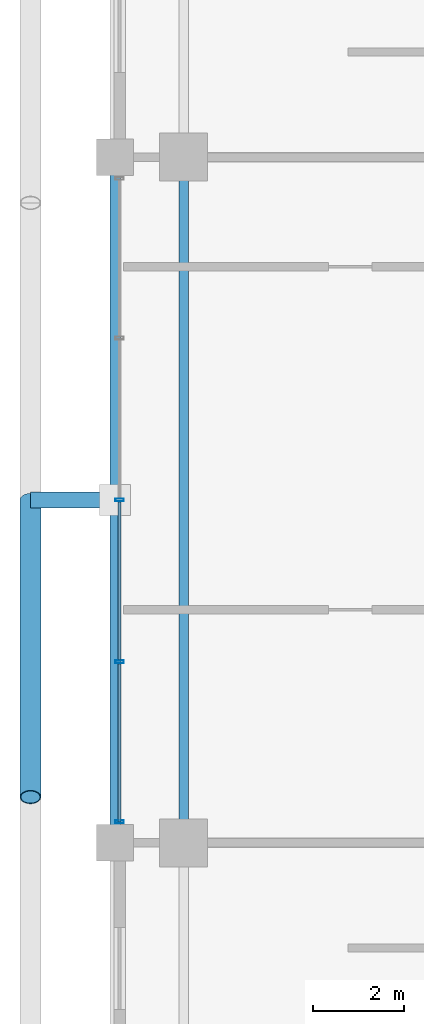
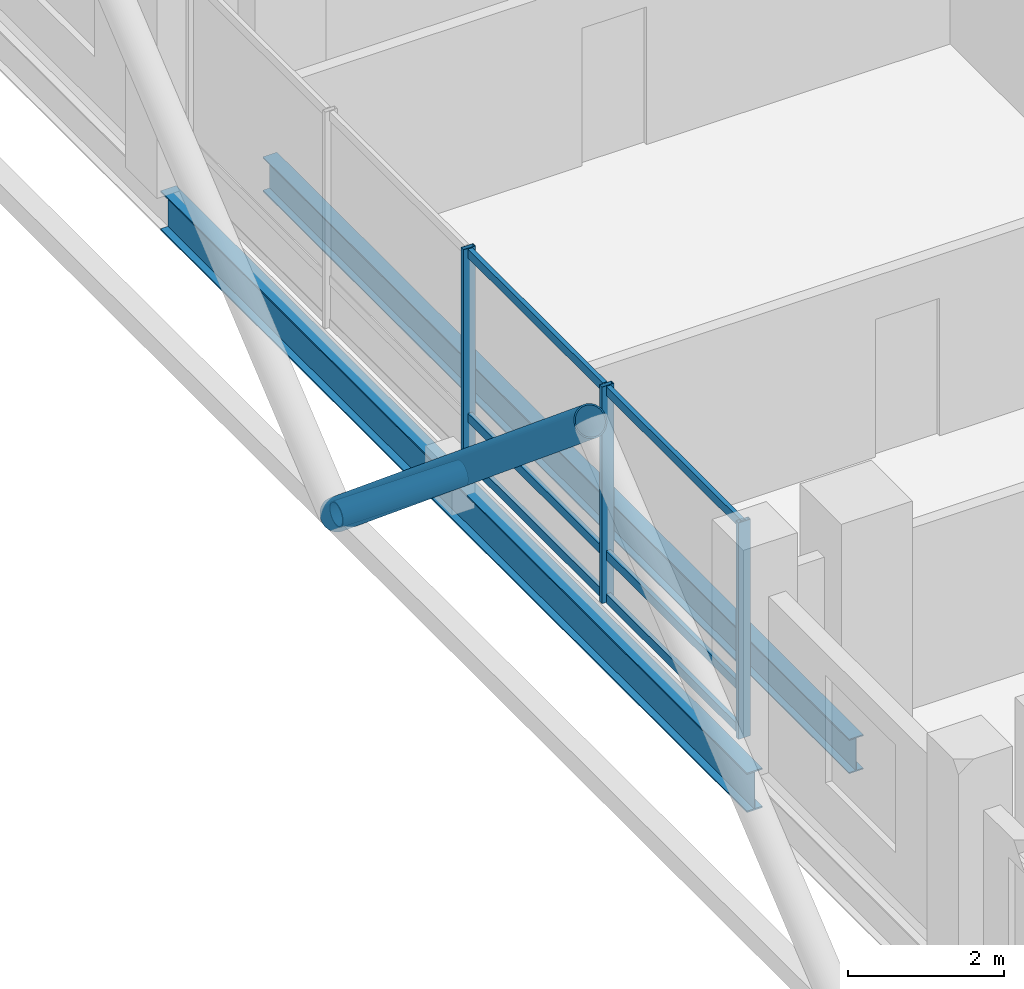
# One storey, part 7 of 26: 11 members, 2 beams, 1 element without a shape of its own.
"""IFC4 building model written with IfcOpenShell, lengths in metres."""

import ifcopenshell
import ifcopenshell.guid

model = None  # the IFC model being written
_history = None  # IfcOwnerHistory: only IFC2X3 demands one
_inside = {}  # id of a spatial element -> (the spatial element, [elements in it])
_under = {}  # id of a project, library or spatial element -> (it, [spatial elements below it])
_declared = {}  # id of a project -> (the project, [libraries it declares])
_typed = {}  # id of a type object -> (the type object, [elements of that type])
_made_of = {}  # id of a material, layer set ... -> (it, [elements and type objects made of it])


def new_model(schema):
    """Start an empty IFC model of exactly this schema.

    Asked for "IFC4X3", IfcOpenShell would pick the latest addendum, in which some entities
    have other attributes; the version numbers below select the first issue.
    IFC2X3 requires an IfcOwnerHistory on every rooted entity: one is made here for all.
    """
    global model, _history
    if schema == "IFC4X3":
        model = ifcopenshell.file(schema_version=(4, 3, 0, 0))
    else:
        model = ifcopenshell.file(schema=schema)
    _inside.clear()
    _under.clear()
    _declared.clear()
    _typed.clear()
    _made_of.clear()
    _history = None
    if model.schema == "IFC2X3":
        org = make("IfcOrganization", Name="unknown")
        user = make(
            "IfcPersonAndOrganization",
            ThePerson=make("IfcPerson", FamilyName="unknown"),
            TheOrganization=org,
        )
        app = make(
            "IfcApplication",
            ApplicationDeveloper=org,
            Version="unknown",
            ApplicationFullName="unknown",
            ApplicationIdentifier="unknown",
        )
        _history = make(
            "IfcOwnerHistory",
            OwningUser=user,
            OwningApplication=app,
            ChangeAction="ADDED",
            CreationDate=0,
        )
    return model


def make(cls, **values):
    """One entity of the class cls with the attributes given. An attribute that is None is left unset."""
    return model.create_entity(
        cls, **{name: value for name, value in values.items() if value is not None}
    )


def rooted(cls, **values):
    """An entity with a GlobalId (a new one), such as an element, a storey or a relation."""
    return make(cls, GlobalId=ifcopenshell.guid.new(), OwnerHistory=_history, **values)


def si_unit(unit_type, name, prefix=None):
    """IfcSIUnit, for example si_unit("LENGTHUNIT", "METRE", prefix="MILLI")."""
    return make("IfcSIUnit", UnitType=unit_type, Prefix=prefix, Name=name)


def assignment(units):
    """IfcUnitAssignment: the units of a project."""
    return None if units is None else make("IfcUnitAssignment", Units=units)


def point(xyz):
    """IfcCartesianPoint."""
    return None if xyz is None else make("IfcCartesianPoint", Coordinates=xyz)


def direction(xyz):
    """IfcDirection."""
    return None if xyz is None else make("IfcDirection", DirectionRatios=xyz)


def frame(location, z_axis=None, x_axis=None):
    """IfcAxis2Placement3D, a coordinate frame: its origin and axes. An axis left out is left unset."""
    return make(
        "IfcAxis2Placement3D",
        Location=point(location),
        Axis=direction(z_axis),
        RefDirection=direction(x_axis),
    )


def frame_2d(location, x_axis=None):
    """IfcAxis2Placement2D, a coordinate frame in the plane: its origin and x axis."""
    return make(
        "IfcAxis2Placement2D", Location=point(location), RefDirection=direction(x_axis)
    )


def origin():
    """The frame at (0, 0, 0) with its axes left unset."""
    return frame((0.0, 0.0, 0.0))


def origin_2d():
    """The frame at (0, 0) in the plane with its x axis left unset."""
    return frame_2d((0.0, 0.0))


def place(relative_to, where):
    """IfcLocalPlacement: puts the frame where relative to a parent placement (None: the world)."""
    return make(
        "IfcLocalPlacement", PlacementRelTo=relative_to, RelativePlacement=where
    )


def context(
    kind, dimensions, precision=None, world=None, true_north=None, identifier=None
):
    """IfcGeometricRepresentationContext, for example the 3D "Model" context."""
    return make(
        "IfcGeometricRepresentationContext",
        ContextIdentifier=identifier,
        ContextType=kind,
        CoordinateSpaceDimension=dimensions,
        Precision=precision,
        WorldCoordinateSystem=world,
        TrueNorth=true_north,
    )


def subcontext(parent, identifier, kind, view, scale=None):
    """IfcGeometricRepresentationSubContext, for example "Body" below "Model"."""
    return make(
        "IfcGeometricRepresentationSubContext",
        ContextIdentifier=identifier,
        ContextType=kind,
        ParentContext=parent,
        TargetScale=scale,
        TargetView=view,
    )


def project(units=None, contexts=None):
    """IfcProject with its units and contexts."""
    return rooted(
        "IfcProject",
        Name="project",
        RepresentationContexts=contexts,
        UnitsInContext=assignment(units),
    )


def spatial(cls, under=None, at=None, **own):
    """A site, building, storey or space (cls), placed at a placement, below another one or the project."""
    s = rooted(cls, ObjectPlacement=at, **own)
    if under is not None:
        _under.setdefault(under.id(), (under, []))[1].append(s)
    return s


def profile(cls, at=None, kind="AREA", **sizes):
    """A parametric profile (cls). Its sizes go by their IFC names, for example OverallWidth=200.0."""
    return make(cls, ProfileType=kind, Position=at, **sizes)


def hollow_rectangle(**sizes):
    """IfcRectangleHollowProfileDef."""
    return profile("IfcRectangleHollowProfileDef", **sizes)


def hollow_circle(**sizes):
    """IfcCircleHollowProfileDef."""
    return profile("IfcCircleHollowProfileDef", **sizes)


def i_section(**sizes):
    """IfcIShapeProfileDef."""
    return profile("IfcIShapeProfileDef", **sizes)


def extrude(swept, where, along, depth):
    """IfcExtrudedAreaSolid: the profile swept, set in the frame where, extruded along a direction by depth."""
    return make(
        "IfcExtrudedAreaSolid",
        SweptArea=swept,
        Position=where,
        ExtrudedDirection=direction(along),
        Depth=depth,
    )


def shape(context_of_items, identifier, shape_type, items):
    """IfcShapeRepresentation: the items that make up one representation, for example the "Body"."""
    return make(
        "IfcShapeRepresentation",
        ContextOfItems=context_of_items,
        RepresentationIdentifier=identifier,
        RepresentationType=shape_type,
        Items=items,
    )


def material(Name=None, Category=None):
    """IfcMaterial."""
    return make("IfcMaterial", Name=Name, Category=Category)


def layer(
    of_material, thickness, ventilated=None, Name=None, Category=None, Priority=None
):
    """IfcMaterialLayer: one layer of a wall or slab, of a material (None: an air gap)."""
    return make(
        "IfcMaterialLayer",
        Material=of_material,
        LayerThickness=thickness,
        IsVentilated=ventilated,
        Name=Name,
        Category=Category,
        Priority=Priority,
    )


def layer_set(layers, Name=None):
    """IfcMaterialLayerSet."""
    return make("IfcMaterialLayerSet", MaterialLayers=layers, LayerSetName=Name)


def material_profile(
    of_material, cross_section, Name=None, Category=None, Priority=None
):
    """IfcMaterialProfile: a cross section and its material."""
    return make(
        "IfcMaterialProfile",
        Name=Name,
        Material=of_material,
        Profile=cross_section,
        Priority=Priority,
        Category=Category,
    )


def profile_set(profiles, Name=None, composite=None):
    """IfcMaterialProfileSet."""
    return make(
        "IfcMaterialProfileSet",
        Name=Name,
        MaterialProfiles=profiles,
        CompositeProfile=composite,
    )


def made_of(thing, what):
    """Note that an element or type object is made of a material, layer set ...; save() writes the relation."""
    if what is not None:
        _made_of.setdefault(what.id(), (what, []))[1].append(thing)
    return thing


def type_object(cls, material=None, **own):
    """A type object (cls), such as IfcWallType, which elements share."""
    return made_of(rooted(cls, **own), material)


def element(
    cls,
    number,
    at=None,
    inside=None,
    cuts=None,
    type_object=None,
    material=None,
    context=None,
    identifier="Body",
    shape_type=None,
    held_by="IfcProductDefinitionShape",
    body=None,
    shapes=None,
    **own,
):
    """One element of the class cls, such as IfcWall. Its Tag is "e" and its number.

    at: its placement. inside: the storey or other place that contains it. cuts: it is an
    opening in that element (IfcRelVoidsElement). A single representation is given by context,
    identifier, shape_type and body (its items); several are given by shapes. held_by: the class
    of the entity that holds the representations. save() writes the other relations.
    """
    e = rooted(cls, Tag="e%d" % number, ObjectPlacement=at, **own)
    if body is not None:
        shapes = [shape(context, identifier, shape_type, body)]
    if shapes is not None:
        e.Representation = make(held_by, Representations=shapes)
    if inside is not None:
        _inside.setdefault(inside.id(), (inside, []))[1].append(e)
    if cuts is not None:
        rooted(
            "IfcRelVoidsElement", RelatingBuildingElement=cuts, RelatedOpeningElement=e
        )
    if type_object is not None:
        _typed.setdefault(type_object.id(), (type_object, []))[1].append(e)
    return made_of(e, material)


def aggregate(whole, parts):
    """IfcRelAggregates: a whole, such as a stair, and the parts it consists of."""
    return rooted("IfcRelAggregates", RelatingObject=whole, RelatedObjects=parts)


def save(model, path):
    """Write the relations noted so far, then the file.

    IfcRelAggregates (storeys below a building ...), IfcRelContainedInSpatialStructure (elements
    in a storey), IfcRelDefinesByType, IfcRelAssociatesMaterial and IfcRelDeclares: one each for
    every whole, place, type object, material and project.
    """
    for whole, parts in _under.values():
        aggregate(whole, parts)
    for where, things in _inside.values():
        rooted(
            "IfcRelContainedInSpatialStructure",
            RelatedElements=things,
            RelatingStructure=where,
        )
    for kind, things in _typed.values():
        rooted("IfcRelDefinesByType", RelatedObjects=things, RelatingType=kind)
    for what, things in _made_of.values():
        rooted("IfcRelAssociatesMaterial", RelatedObjects=things, RelatingMaterial=what)
    for by, libraries in _declared.values():
        rooted("IfcRelDeclares", RelatingContext=by, RelatedDefinitions=libraries)
    model.write(path)


model = new_model("IFC4")

# Units and contexts
model_context = context("Model", 3, precision=1e-05, world=origin(), true_north=direction((0.0, 1.0)))
body_context = subcontext(model_context, "Body", "Model", "MODEL_VIEW")
ifc_project = project(units=[si_unit("LENGTHUNIT", "METRE"), si_unit("AREAUNIT", "SQUARE_METRE"), si_unit("VOLUMEUNIT", "CUBIC_METRE"), si_unit("PLANEANGLEUNIT", "RADIAN"), si_unit("MASSUNIT", "GRAM", prefix="KILO")], contexts=[model_context])

# Site, building, storey
site_placement = place(None, origin())
site = spatial("IfcSite", under=ifc_project, at=site_placement, CompositionType="ELEMENT")
building_placement = place(site_placement, origin())
building = spatial("IfcBuilding", under=site, at=building_placement, Name="Barlavira Tower and Art Museum", CompositionType="ELEMENT")
storey_placement = place(building_placement, frame((0.0, 0.0, 176.39990234375)))
storey = spatial("IfcBuildingStorey", under=building, at=storey_placement, Name="L45", CompositionType="ELEMENT", Elevation=176.39990234375)

# Curtain wall, members
ifc_material_1 = material(Name="Low-iron coastal laminated glass", Category="glass")
ifc_layer = layer(ifc_material_1, 0.199951171875, Name="Low-iron coastal laminated glass")
ifc_layer_set = layer_set([ifc_layer], Name="Low-iron coastal laminated glass")
curtain_wall_type = type_object("IfcCurtainWallType", Name="Pale-Metal Unitised Curtain Wall Zone 3", PredefinedType="NOTDEFINED", material=ifc_layer_set)
curtain_wall_placement = place(storey_placement, origin())
curtain_wall = element("IfcCurtainWall", 1, at=curtain_wall_placement, inside=storey, type_object=curtain_wall_type, Name="L45 Curtain Wall CW3-L45-W-B3", PredefinedType="NOTDEFINED")
ifc_material_2 = material(Name="Pale anodised aluminium", Category="aluminium")
ifc_material_profile_1 = material_profile(ifc_material_2, hollow_rectangle(XDim=0.06494140625, YDim=0.179931640625, WallThickness=0.00390625, at=origin_2d()), Name="ALU-MULL 65x180x4")
ifc_profile_set_1 = profile_set([ifc_material_profile_1], Name="Pale anodised aluminium")
member_type_1 = type_object("IfcMemberType", Name="Curtain Wall Pale-Metal Mullion 65x180", PredefinedType="MULLION", material=ifc_profile_set_1)
member_1_placement = place(storey_placement, frame((-18.39990234375, 0.0, 0.0), z_axis=(0.0, 0.0, 1.0), x_axis=(0.0, -1.0, 0.0)))
member_1 = element("IfcMember", 2, at=member_1_placement, type_object=member_type_1, Name="CW3-L45-W-B3 Mullion 2", PredefinedType="MULLION", context=body_context, shape_type="SweptSolid", body=[
    extrude(hollow_rectangle(XDim=0.06494140625, YDim=0.179931640625, WallThickness=0.00390625, at=origin_2d()), origin(), (0.0, 0.0, 1.0), 3.380126953125),
])
member_2_placement = place(storey_placement, frame((-18.39990234375, -3.5400390625, 0.0), z_axis=(0.0, 0.0, 1.0), x_axis=(0.0, -1.0, 0.0)))
member_2 = element("IfcMember", 3, at=member_2_placement, type_object=member_type_1, Name="CW3-L45-W-B3 Mullion 3", PredefinedType="MULLION", context=body_context, shape_type="SweptSolid", body=[
    extrude(hollow_rectangle(XDim=0.06494140625, YDim=0.179931640625, WallThickness=0.00390625, at=origin_2d()), origin(), (0.0, 0.0, 1.0), 3.380126953125),
])
member_3_placement = place(storey_placement, frame((-18.39990234375, -7.034912109375, 0.0), z_axis=(0.0, 0.0, 1.0), x_axis=(0.0, -1.0, 0.0)))
member_3 = element("IfcMember", 4, at=member_3_placement, type_object=member_type_1, Name="CW3-L45-W-B3 Mullion 4", PredefinedType="MULLION", context=body_context, shape_type="SweptSolid", body=[
    extrude(hollow_rectangle(XDim=0.06494140625, YDim=0.179931640625, WallThickness=0.00390625, at=origin_2d()), origin(), (0.0, 0.0, 1.0), 3.380126953125),
])
ifc_material_profile_2 = material_profile(ifc_material_2, hollow_rectangle(XDim=0.06494140625, YDim=0.139892578125, WallThickness=0.00390625, at=origin_2d()), Name="ALU-TRAN 65x140x4")
ifc_profile_set_2 = profile_set([ifc_material_profile_2], Name="Pale anodised aluminium")
member_type_2 = type_object("IfcMemberType", Name="Curtain Wall Pale-Metal Transom 65x140", PredefinedType="USERDEFINED", material=ifc_profile_set_2)
member_4_placement = place(storey_placement, frame((-18.39990234375, -0.044921875, 0.070068359375), z_axis=(0.0, -1.0, 0.0), x_axis=(1.0, 0.0, 0.0)))
member_4 = element("IfcMember", 5, at=member_4_placement, type_object=member_type_2, Name="CW3-L45-W-B3 Transom 2.1", ObjectType="TRANSOM", PredefinedType="USERDEFINED", context=body_context, shape_type="SweptSolid", body=[
    extrude(hollow_rectangle(XDim=0.06494140625, YDim=0.139892578125, WallThickness=0.00390625, at=origin_2d()), origin(), (0.0, 0.0, 1.0), 3.4501953125),
])
member_5_placement = place(storey_placement, frame((-18.39990234375, -0.044921875, 0.744140625), z_axis=(0.0, -1.0, 0.0), x_axis=(1.0, 0.0, 0.0)))
member_5 = element("IfcMember", 6, at=member_5_placement, type_object=member_type_2, Name="CW3-L45-W-B3 Transom 2.2", ObjectType="TRANSOM", PredefinedType="USERDEFINED", context=body_context, shape_type="SweptSolid", body=[
    extrude(hollow_rectangle(XDim=0.06494140625, YDim=0.139892578125, WallThickness=0.00390625, at=origin_2d()), origin(), (0.0, 0.0, 1.0), 3.4501953125),
])
member_6_placement = place(storey_placement, frame((-18.39990234375, -0.044921875, 3.31005859375), z_axis=(0.0, -1.0, 0.0), x_axis=(1.0, 0.0, 0.0)))
member_6 = element("IfcMember", 7, at=member_6_placement, type_object=member_type_2, Name="CW3-L45-W-B3 Transom 2.3", ObjectType="TRANSOM", PredefinedType="USERDEFINED", context=body_context, shape_type="SweptSolid", body=[
    extrude(hollow_rectangle(XDim=0.06494140625, YDim=0.139892578125, WallThickness=0.00390625, at=origin_2d()), origin(), (0.0, 0.0, 1.0), 3.4501953125),
])
member_7_placement = place(storey_placement, frame((-18.39990234375, -3.5849609375, 0.070068359375), z_axis=(0.0, -1.0, 0.0), x_axis=(1.0, 0.0, 0.0)))
member_7 = element("IfcMember", 8, at=member_7_placement, type_object=member_type_2, Name="CW3-L45-W-B3 Transom 3.1", ObjectType="TRANSOM", PredefinedType="USERDEFINED", context=body_context, shape_type="SweptSolid", body=[
    extrude(hollow_rectangle(XDim=0.06494140625, YDim=0.139892578125, WallThickness=0.00390625, at=origin_2d()), origin(), (0.0, 0.0, 1.0), 3.449951171875),
])
member_8_placement = place(storey_placement, frame((-18.39990234375, -3.5849609375, 0.744140625), z_axis=(0.0, -1.0, 0.0), x_axis=(1.0, 0.0, 0.0)))
member_8 = element("IfcMember", 9, at=member_8_placement, type_object=member_type_2, Name="CW3-L45-W-B3 Transom 3.2", ObjectType="TRANSOM", PredefinedType="USERDEFINED", context=body_context, shape_type="SweptSolid", body=[
    extrude(hollow_rectangle(XDim=0.06494140625, YDim=0.139892578125, WallThickness=0.00390625, at=origin_2d()), origin(), (0.0, 0.0, 1.0), 3.449951171875),
])
member_9_placement = place(storey_placement, frame((-18.39990234375, -3.5849609375, 3.31005859375), z_axis=(0.0, -1.0, 0.0), x_axis=(1.0, 0.0, 0.0)))
member_9 = element("IfcMember", 10, at=member_9_placement, type_object=member_type_2, Name="CW3-L45-W-B3 Transom 3.3", ObjectType="TRANSOM", PredefinedType="USERDEFINED", context=body_context, shape_type="SweptSolid", body=[
    extrude(hollow_rectangle(XDim=0.06494140625, YDim=0.139892578125, WallThickness=0.00390625, at=origin_2d()), origin(), (0.0, 0.0, 1.0), 3.449951171875),
])
aggregate(curtain_wall, [member_1, member_2, member_3, member_4, member_5, member_6, member_7, member_8, member_9])

# Members
ifc_material_3 = material(Name="Steel S355", Category="steel")
ifc_material_profile_3 = material_profile(ifc_material_3, hollow_circle(Radius=0.228515625, WallThickness=0.02001953125, at=origin_2d()), Name="CHS 457.0x20.0")
ifc_profile_set_3 = profile_set([ifc_material_profile_3], Name="Steel S355")
member_type_3 = type_object("IfcMemberType", Name="Pale-Metal Exoskeleton Diagrid Tube CHS 457x20 Steel S355", PredefinedType="BRACE", material=ifc_profile_set_3)
member_10_placement = place(storey_placement, frame((-20.35009765625, 0.0, -0.119873046875), z_axis=(0.0, -0.769196053329, 0.639012857104), x_axis=(1.0, 0.0, 0.0)))
element("IfcMember", 11, at=member_10_placement, inside=storey, type_object=member_type_3, Name="L45 Exoskeleton Diagrid Tube W", PredefinedType="BRACE", context=body_context, shape_type="SweptSolid", body=[
    extrude(hollow_circle(Radius=0.228515625, WallThickness=0.02001953125, at=origin_2d()), origin(), (0.0, 0.0, 1.0), 8.450439453125),
])
ifc_material_profile_4 = material_profile(ifc_material_3, hollow_circle(Radius=0.177734375, WallThickness=0.01611328125, at=origin_2d()), Name="CHS 355.6x16.0")
ifc_profile_set_4 = profile_set([ifc_material_profile_4], Name="Steel S355")
member_type_4 = type_object("IfcMemberType", Name="Pale-Metal Exoskeleton Tie Strut CHS 356x16 Steel S355", PredefinedType="STRUT", material=ifc_profile_set_4)
member_11_placement = place(storey_placement, frame((-20.35009765625, 0.0, -0.119873046875), z_axis=(1.0, 0.0, 0.0), x_axis=(0.0, 1.0, 0.0)))
element("IfcMember", 12, at=member_11_placement, inside=storey, type_object=member_type_4, Name="L45 Exoskeleton Tie Strut W2", PredefinedType="STRUT", context=body_context, shape_type="SweptSolid", body=[
    extrude(hollow_circle(Radius=0.177734375, WallThickness=0.01611328125, at=origin_2d()), origin(), (0.0, 0.0, 1.0), 1.85009765625),
])

# Beams
ifc_material_profile_5 = material_profile(ifc_material_3, i_section(OverallWidth=0.22998046875, OverallDepth=0.616943359375, WebThickness=0.01318359375, FlangeThickness=0.022216796875, at=origin_2d()), Name="W610x140.0")
ifc_profile_set_5 = profile_set([ifc_material_profile_5], Name="Steel S355")
beam_type_1 = type_object("IfcBeamType", Name="Upper Shaft Spandrel Edge Beam W610x140 Steel S355", PredefinedType="SPANDREL", material=ifc_profile_set_5)
beam_1_placement = place(storey_placement, frame((-18.5, -7.5, -0.5283203125), z_axis=(0.0, 1.0, 0.0), x_axis=(-1.0, 0.0, 0.0)))
element("IfcBeam", 13, at=beam_1_placement, inside=storey, type_object=beam_type_1, Name="L45 Spandrel 14", PredefinedType="SPANDREL", context=body_context, shape_type="SweptSolid", body=[
    extrude(i_section(OverallWidth=0.22998046875, OverallDepth=0.616943359375, WebThickness=0.01318359375, FlangeThickness=0.022216796875, at=origin_2d()), origin(), (0.0, 0.0, 1.0), 15.0),
])
ifc_material_profile_6 = material_profile(ifc_material_3, i_section(OverallWidth=0.2109375, OverallDepth=0.5390625, WebThickness=0.01171875, FlangeThickness=0.018798828125, at=origin_2d()), Name="W530x109.0")
ifc_profile_set_6 = profile_set([ifc_material_profile_6], Name="Steel S355")
beam_type_2 = type_object("IfcBeamType", Name="Zone 3-4 Primary Floor Girder W530x109 Steel S355", PredefinedType="BEAM", material=ifc_profile_set_6)
beam_2_placement = place(storey_placement, frame((-17.0, -7.5, -0.489501953125), z_axis=(0.0, 1.0, 0.0), x_axis=(-1.0, 0.0, 0.0)))
element("IfcBeam", 14, at=beam_2_placement, inside=storey, type_object=beam_type_2, Name="L45 Girder M-W2", PredefinedType="BEAM", context=body_context, shape_type="SweptSolid", body=[
    extrude(i_section(OverallWidth=0.2109375, OverallDepth=0.5390625, WebThickness=0.01171875, FlangeThickness=0.018798828125, at=origin_2d()), origin(), (0.0, 0.0, 1.0), 15.0),
])

save(model, "model.ifc")
